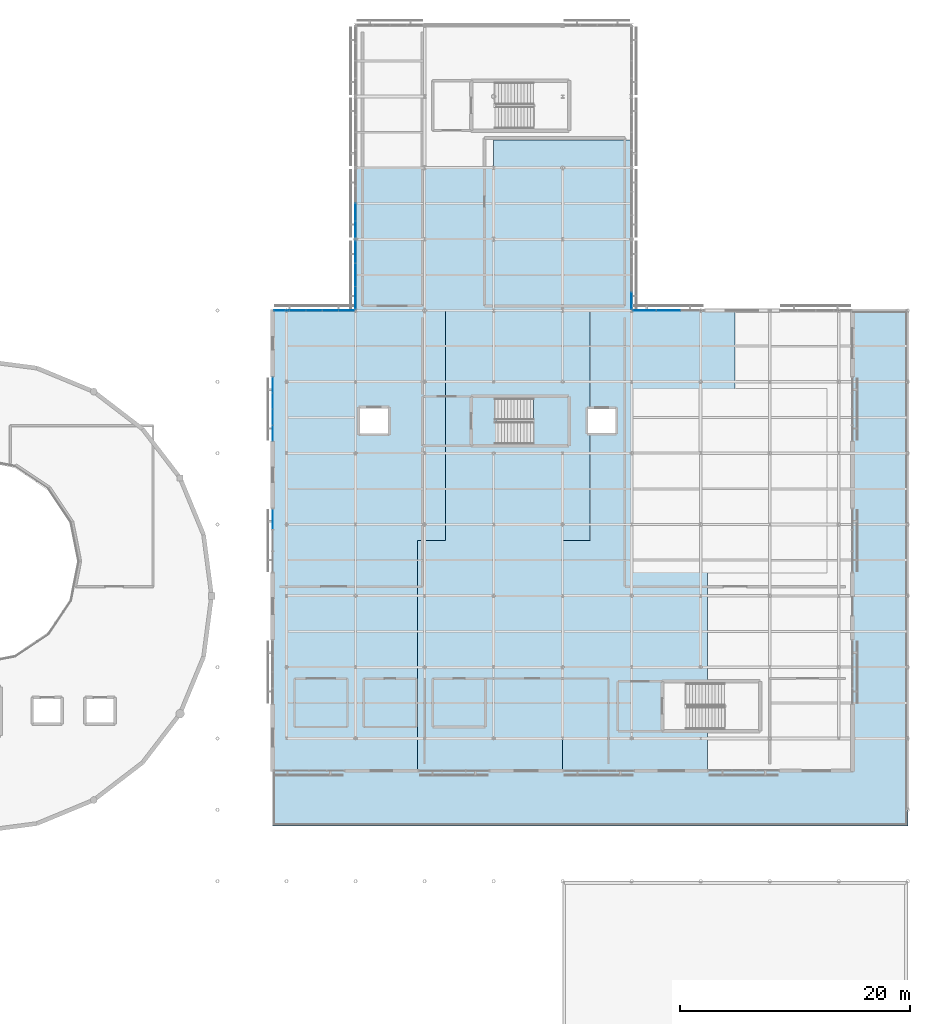
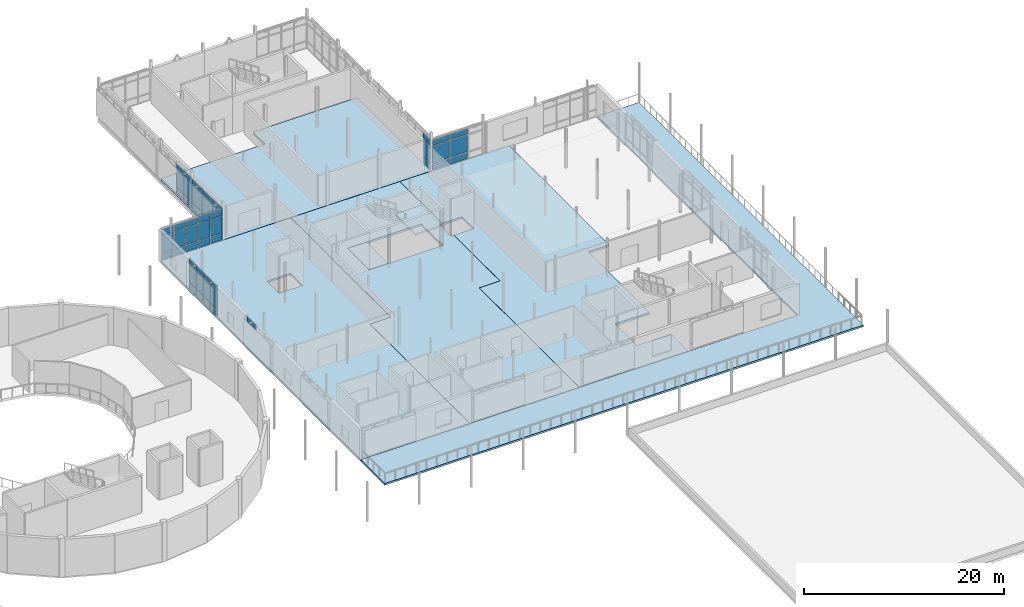
# One storey, part 40 of 66: 52 plates, 7 slabs, 8 elements without a shape of their own.
"""IFC4 building model written with IfcOpenShell, lengths in metres."""

from ifc_helpers import new_model, si_unit, direction, frame, origin, origin_2d, place, context, subcontext, project, spatial, polyline, rectangle, outline, extrude, material, layer, layer_set, type_object, element, aggregate, save


model = new_model("IFC4")

# Units and contexts
model_context = context("Model", 3, precision=1e-05, world=origin(), true_north=direction((0.0, 1.0)))
body_context = subcontext(model_context, "Body", "Model", "MODEL_VIEW")
ifc_project = project(units=[si_unit("LENGTHUNIT", "METRE"), si_unit("AREAUNIT", "SQUARE_METRE"), si_unit("VOLUMEUNIT", "CUBIC_METRE"), si_unit("PLANEANGLEUNIT", "RADIAN"), si_unit("MASSUNIT", "GRAM", prefix="KILO")], contexts=[model_context])

# Site, building, storey
site_placement = place(None, origin())
site = spatial("IfcSite", under=ifc_project, at=site_placement, CompositionType="ELEMENT")
building_placement = place(site_placement, origin())
building = spatial("IfcBuilding", under=site, at=building_placement, Name="Mirzam Square Science Centre", CompositionType="ELEMENT")
storey_placement = place(building_placement, frame((0.0, 0.0, 15.60009765625)))
storey = spatial("IfcBuildingStorey", under=building, at=storey_placement, Name="L03", CompositionType="ELEMENT", Elevation=15.60009765625)

# Curtain wall, plates
ifc_material_1 = material(Name="Anodised Aluminium and Low-E Solar Glass", Category="aluminium")
ifc_layer_1 = layer(ifc_material_1, 0.159912109375)
ifc_layer_set_1 = layer_set([ifc_layer_1], Name="CW-COURT-B")
curtain_wall_type_1 = type_object("IfcCurtainWallType", Name="CW-COURT-B", PredefinedType="USERDEFINED", material=ifc_layer_set_1)
curtain_wall_1_placement = place(storey_placement, origin())
curtain_wall_1 = element("IfcCurtainWall", 1, at=curtain_wall_1_placement, inside=storey, type_object=curtain_wall_type_1, Name="L03 unitised curtain wall 132", ObjectType="UNITISED CURTAIN WALL", PredefinedType="USERDEFINED")
ifc_material_2 = material(Name="Ceramic-Fritted Courtyard Solar Glass", Category="glass")
ifc_layer_2 = layer(ifc_material_2, 0.02392578125)
ifc_layer_set_2 = layer_set([ifc_layer_2], Name="CWP-GLZ-24")
plate_type_1 = type_object("IfcPlateType", Name="CWP-GLZ-24", PredefinedType="CURTAIN_PANEL", material=ifc_layer_set_2)
plate_1_placement = place(storey_placement, frame((113.220947265625, 86.800048828125, 0.059814453125), z_axis=(0.0, 0.0, 1.0), x_axis=(-1.0, 0.0, 0.0)))
plate_1 = element("IfcPlate", 2, at=plate_1_placement, type_object=plate_type_1, Name="CW-04 panel 1.1", PredefinedType="CURTAIN_PANEL", context=body_context, shape_type="SweptSolid", body=[
    extrude(rectangle(XDim=1.327880859375, YDim=0.02392578125, at=origin_2d()), origin(), (0.0, 0.0, 1.0), 0.81005859375),
])
plate_2_placement = place(storey_placement, frame((113.220947265625, 86.800048828125, 0.929931640625), z_axis=(0.0, 0.0, 1.0), x_axis=(-1.0, 0.0, 0.0)))
plate_2 = element("IfcPlate", 3, at=plate_2_placement, type_object=plate_type_1, Name="CW-04 panel 1.2", PredefinedType="CURTAIN_PANEL", context=body_context, shape_type="SweptSolid", body=[
    extrude(rectangle(XDim=1.327880859375, YDim=0.02392578125, at=origin_2d()), origin(), (0.0, 0.0, 1.0), 2.080078125),
])
plate_3_placement = place(storey_placement, frame((113.220947265625, 86.800048828125, 3.06982421875), z_axis=(0.0, 0.0, 1.0), x_axis=(-1.0, 0.0, 0.0)))
plate_3 = element("IfcPlate", 4, at=plate_3_placement, type_object=plate_type_1, Name="CW-04 panel 1.3", PredefinedType="CURTAIN_PANEL", context=body_context, shape_type="SweptSolid", body=[
    extrude(rectangle(XDim=1.327880859375, YDim=0.02392578125, at=origin_2d()), origin(), (0.0, 0.0, 1.0), 0.7099609375),
])
plate_4_placement = place(storey_placement, frame((111.818115234375, 86.800048828125, 0.059814453125), z_axis=(0.0, 0.0, 1.0), x_axis=(-1.0, 0.0, 0.0)))
plate_4 = element("IfcPlate", 5, at=plate_4_placement, type_object=plate_type_1, Name="CW-04 panel 2.1", PredefinedType="CURTAIN_PANEL", context=body_context, shape_type="SweptSolid", body=[
    extrude(rectangle(XDim=1.35791015625, YDim=0.02392578125, at=origin_2d()), origin(), (0.0, 0.0, 1.0), 0.81005859375),
])
plate_5_placement = place(storey_placement, frame((111.818115234375, 86.800048828125, 0.929931640625), z_axis=(0.0, 0.0, 1.0), x_axis=(-1.0, 0.0, 0.0)))
plate_5 = element("IfcPlate", 6, at=plate_5_placement, type_object=plate_type_1, Name="CW-04 panel 2.2", PredefinedType="CURTAIN_PANEL", context=body_context, shape_type="SweptSolid", body=[
    extrude(rectangle(XDim=1.35791015625, YDim=0.02392578125, at=origin_2d()), origin(), (0.0, 0.0, 1.0), 2.080078125),
])
plate_6_placement = place(storey_placement, frame((111.818115234375, 86.800048828125, 3.06982421875), z_axis=(0.0, 0.0, 1.0), x_axis=(-1.0, 0.0, 0.0)))
plate_6 = element("IfcPlate", 7, at=plate_6_placement, type_object=plate_type_1, Name="CW-04 panel 2.3", PredefinedType="CURTAIN_PANEL", context=body_context, shape_type="SweptSolid", body=[
    extrude(rectangle(XDim=1.35791015625, YDim=0.02392578125, at=origin_2d()), origin(), (0.0, 0.0, 1.0), 0.7099609375),
])
plate_7_placement = place(storey_placement, frame((110.39990234375, 86.800048828125, 0.059814453125), z_axis=(0.0, 0.0, 1.0), x_axis=(-1.0, 0.0, 0.0)))
plate_7 = element("IfcPlate", 8, at=plate_7_placement, type_object=plate_type_1, Name="CW-04 panel 3.1", PredefinedType="CURTAIN_PANEL", context=body_context, shape_type="SweptSolid", body=[
    extrude(rectangle(XDim=1.35791015625, YDim=0.02392578125, at=origin_2d()), origin(), (0.0, 0.0, 1.0), 0.81005859375),
])
plate_8_placement = place(storey_placement, frame((110.39990234375, 86.800048828125, 0.929931640625), z_axis=(0.0, 0.0, 1.0), x_axis=(-1.0, 0.0, 0.0)))
plate_8 = element("IfcPlate", 9, at=plate_8_placement, type_object=plate_type_1, Name="CW-04 panel 3.2", PredefinedType="CURTAIN_PANEL", context=body_context, shape_type="SweptSolid", body=[
    extrude(rectangle(XDim=1.35791015625, YDim=0.02392578125, at=origin_2d()), origin(), (0.0, 0.0, 1.0), 2.080078125),
])
plate_9_placement = place(storey_placement, frame((110.39990234375, 86.800048828125, 3.06982421875), z_axis=(0.0, 0.0, 1.0), x_axis=(-1.0, 0.0, 0.0)))
plate_9 = element("IfcPlate", 10, at=plate_9_placement, type_object=plate_type_1, Name="CW-04 panel 3.3", PredefinedType="CURTAIN_PANEL", context=body_context, shape_type="SweptSolid", body=[
    extrude(rectangle(XDim=1.35791015625, YDim=0.02392578125, at=origin_2d()), origin(), (0.0, 0.0, 1.0), 0.7099609375),
])
plate_10_placement = place(storey_placement, frame((108.98193359375, 86.800048828125, 0.059814453125), z_axis=(0.0, 0.0, 1.0), x_axis=(-1.0, 0.0, 0.0)))
plate_10 = element("IfcPlate", 11, at=plate_10_placement, type_object=plate_type_1, Name="CW-04 panel 4.1", PredefinedType="CURTAIN_PANEL", context=body_context, shape_type="SweptSolid", body=[
    extrude(rectangle(XDim=1.35791015625, YDim=0.02392578125, at=origin_2d()), origin(), (0.0, 0.0, 1.0), 0.81005859375),
])
plate_11_placement = place(storey_placement, frame((108.98193359375, 86.800048828125, 0.929931640625), z_axis=(0.0, 0.0, 1.0), x_axis=(-1.0, 0.0, 0.0)))
plate_11 = element("IfcPlate", 12, at=plate_11_placement, type_object=plate_type_1, Name="CW-04 panel 4.2", PredefinedType="CURTAIN_PANEL", context=body_context, shape_type="SweptSolid", body=[
    extrude(rectangle(XDim=1.35791015625, YDim=0.02392578125, at=origin_2d()), origin(), (0.0, 0.0, 1.0), 2.080078125),
])
plate_12_placement = place(storey_placement, frame((108.98193359375, 86.800048828125, 3.06982421875), z_axis=(0.0, 0.0, 1.0), x_axis=(-1.0, 0.0, 0.0)))
plate_12 = element("IfcPlate", 13, at=plate_12_placement, type_object=plate_type_1, Name="CW-04 panel 4.3", PredefinedType="CURTAIN_PANEL", context=body_context, shape_type="SweptSolid", body=[
    extrude(rectangle(XDim=1.35791015625, YDim=0.02392578125, at=origin_2d()), origin(), (0.0, 0.0, 1.0), 0.7099609375),
])
plate_13_placement = place(storey_placement, frame((107.5791015625, 86.800048828125, 0.059814453125), z_axis=(0.0, 0.0, 1.0), x_axis=(-1.0, 0.0, 0.0)))
plate_13 = element("IfcPlate", 14, at=plate_13_placement, type_object=plate_type_1, Name="CW-04 panel 5.1", PredefinedType="CURTAIN_PANEL", context=body_context, shape_type="SweptSolid", body=[
    extrude(rectangle(XDim=1.327880859375, YDim=0.02392578125, at=origin_2d()), origin(), (0.0, 0.0, 1.0), 0.81005859375),
])
plate_14_placement = place(storey_placement, frame((107.5791015625, 86.800048828125, 0.929931640625), z_axis=(0.0, 0.0, 1.0), x_axis=(-1.0, 0.0, 0.0)))
plate_14 = element("IfcPlate", 15, at=plate_14_placement, type_object=plate_type_1, Name="CW-04 panel 5.2", PredefinedType="CURTAIN_PANEL", context=body_context, shape_type="SweptSolid", body=[
    extrude(rectangle(XDim=1.327880859375, YDim=0.02392578125, at=origin_2d()), origin(), (0.0, 0.0, 1.0), 2.080078125),
])
plate_15_placement = place(storey_placement, frame((107.5791015625, 86.800048828125, 3.06982421875), z_axis=(0.0, 0.0, 1.0), x_axis=(-1.0, 0.0, 0.0)))
plate_15 = element("IfcPlate", 16, at=plate_15_placement, type_object=plate_type_1, Name="CW-04 panel 5.3", PredefinedType="CURTAIN_PANEL", context=body_context, shape_type="SweptSolid", body=[
    extrude(rectangle(XDim=1.327880859375, YDim=0.02392578125, at=origin_2d()), origin(), (0.0, 0.0, 1.0), 0.7099609375),
])
aggregate(curtain_wall_1, [plate_1, plate_2, plate_3, plate_4, plate_5, plate_6, plate_7, plate_8, plate_9, plate_10, plate_11, plate_12, plate_13, plate_14, plate_15])

curtain_wall_2_placement = place(storey_placement, origin())
curtain_wall_2 = element("IfcCurtainWall", 17, at=curtain_wall_2_placement, inside=storey, type_object=curtain_wall_type_1, Name="L03 unitised curtain wall 133", ObjectType="UNITISED CURTAIN WALL", PredefinedType="USERDEFINED")
plate_16_placement = place(storey_placement, frame((106.800048828125, 80.315185546875, 0.059814453125), z_axis=(0.0, 0.0, 1.0), x_axis=(0.0, -1.0, 0.0)))
plate_16 = element("IfcPlate", 18, at=plate_16_placement, type_object=plate_type_1, Name="CW-04 panel 1.1", PredefinedType="CURTAIN_PANEL", context=body_context, shape_type="SweptSolid", body=[
    extrude(rectangle(XDim=1.31103515625, YDim=0.02392578125, at=origin_2d()), origin(), (0.0, 0.0, 1.0), 0.81005859375),
])
plate_17_placement = place(storey_placement, frame((106.800048828125, 80.315185546875, 0.929931640625), z_axis=(0.0, 0.0, 1.0), x_axis=(0.0, -1.0, 0.0)))
plate_17 = element("IfcPlate", 19, at=plate_17_placement, type_object=plate_type_1, Name="CW-04 panel 1.2", PredefinedType="CURTAIN_PANEL", context=body_context, shape_type="SweptSolid", body=[
    extrude(rectangle(XDim=1.31103515625, YDim=0.02392578125, at=origin_2d()), origin(), (0.0, 0.0, 1.0), 2.080078125),
])
plate_18_placement = place(storey_placement, frame((106.800048828125, 80.315185546875, 3.06982421875), z_axis=(0.0, 0.0, 1.0), x_axis=(0.0, -1.0, 0.0)))
plate_18 = element("IfcPlate", 20, at=plate_18_placement, type_object=plate_type_1, Name="CW-04 panel 1.3", PredefinedType="CURTAIN_PANEL", context=body_context, shape_type="SweptSolid", body=[
    extrude(rectangle(XDim=1.31103515625, YDim=0.02392578125, at=origin_2d()), origin(), (0.0, 0.0, 1.0), 0.7099609375),
])
plate_19_placement = place(storey_placement, frame((106.800048828125, 78.92919921875, 0.059814453125), z_axis=(0.0, 0.0, 1.0), x_axis=(0.0, -1.0, 0.0)))
plate_19 = element("IfcPlate", 21, at=plate_19_placement, type_object=plate_type_1, Name="CW-04 panel 2.1", PredefinedType="CURTAIN_PANEL", context=body_context, shape_type="SweptSolid", body=[
    extrude(rectangle(XDim=1.341064453125, YDim=0.02392578125, at=origin_2d()), origin(), (0.0, 0.0, 1.0), 0.81005859375),
])
plate_20_placement = place(storey_placement, frame((106.800048828125, 78.92919921875, 0.929931640625), z_axis=(0.0, 0.0, 1.0), x_axis=(0.0, -1.0, 0.0)))
plate_20 = element("IfcPlate", 22, at=plate_20_placement, type_object=plate_type_1, Name="CW-04 panel 2.2", PredefinedType="CURTAIN_PANEL", context=body_context, shape_type="SweptSolid", body=[
    extrude(rectangle(XDim=1.341064453125, YDim=0.02392578125, at=origin_2d()), origin(), (0.0, 0.0, 1.0), 2.080078125),
])
plate_21_placement = place(storey_placement, frame((106.800048828125, 78.92919921875, 3.06982421875), z_axis=(0.0, 0.0, 1.0), x_axis=(0.0, -1.0, 0.0)))
plate_21 = element("IfcPlate", 23, at=plate_21_placement, type_object=plate_type_1, Name="CW-04 panel 2.3", PredefinedType="CURTAIN_PANEL", context=body_context, shape_type="SweptSolid", body=[
    extrude(rectangle(XDim=1.341064453125, YDim=0.02392578125, at=origin_2d()), origin(), (0.0, 0.0, 1.0), 0.7099609375),
])
plate_22_placement = place(storey_placement, frame((106.800048828125, 77.528076171875, 0.059814453125), z_axis=(0.0, 0.0, 1.0), x_axis=(0.0, -1.0, 0.0)))
plate_22 = element("IfcPlate", 24, at=plate_22_placement, type_object=plate_type_1, Name="CW-04 panel 3.1", PredefinedType="CURTAIN_PANEL", context=body_context, shape_type="SweptSolid", body=[
    extrude(rectangle(XDim=1.341064453125, YDim=0.02392578125, at=origin_2d()), origin(), (0.0, 0.0, 1.0), 0.81005859375),
])
plate_23_placement = place(storey_placement, frame((106.800048828125, 77.528076171875, 0.929931640625), z_axis=(0.0, 0.0, 1.0), x_axis=(0.0, -1.0, 0.0)))
plate_23 = element("IfcPlate", 25, at=plate_23_placement, type_object=plate_type_1, Name="CW-04 panel 3.2", PredefinedType="CURTAIN_PANEL", context=body_context, shape_type="SweptSolid", body=[
    extrude(rectangle(XDim=1.341064453125, YDim=0.02392578125, at=origin_2d()), origin(), (0.0, 0.0, 1.0), 2.080078125),
])
plate_24_placement = place(storey_placement, frame((106.800048828125, 77.528076171875, 3.06982421875), z_axis=(0.0, 0.0, 1.0), x_axis=(0.0, -1.0, 0.0)))
plate_24 = element("IfcPlate", 26, at=plate_24_placement, type_object=plate_type_1, Name="CW-04 panel 3.3", PredefinedType="CURTAIN_PANEL", context=body_context, shape_type="SweptSolid", body=[
    extrude(rectangle(XDim=1.341064453125, YDim=0.02392578125, at=origin_2d()), origin(), (0.0, 0.0, 1.0), 0.7099609375),
])
plate_25_placement = place(storey_placement, frame((106.800048828125, 76.141845703125, 0.059814453125), z_axis=(0.0, 0.0, 1.0), x_axis=(0.0, -1.0, 0.0)))
plate_25 = element("IfcPlate", 27, at=plate_25_placement, type_object=plate_type_1, Name="CW-04 panel 4.1", PredefinedType="CURTAIN_PANEL", context=body_context, shape_type="SweptSolid", body=[
    extrude(rectangle(XDim=1.31103515625, YDim=0.02392578125, at=origin_2d()), origin(), (0.0, 0.0, 1.0), 0.81005859375),
])
plate_26_placement = place(storey_placement, frame((106.800048828125, 76.141845703125, 0.929931640625), z_axis=(0.0, 0.0, 1.0), x_axis=(0.0, -1.0, 0.0)))
plate_26 = element("IfcPlate", 28, at=plate_26_placement, type_object=plate_type_1, Name="CW-04 panel 4.2", PredefinedType="CURTAIN_PANEL", context=body_context, shape_type="SweptSolid", body=[
    extrude(rectangle(XDim=1.31103515625, YDim=0.02392578125, at=origin_2d()), origin(), (0.0, 0.0, 1.0), 2.080078125),
])
plate_27_placement = place(storey_placement, frame((106.800048828125, 76.141845703125, 3.06982421875), z_axis=(0.0, 0.0, 1.0), x_axis=(0.0, -1.0, 0.0)))
plate_27 = element("IfcPlate", 29, at=plate_27_placement, type_object=plate_type_1, Name="CW-04 panel 4.3", PredefinedType="CURTAIN_PANEL", context=body_context, shape_type="SweptSolid", body=[
    extrude(rectangle(XDim=1.31103515625, YDim=0.02392578125, at=origin_2d()), origin(), (0.0, 0.0, 1.0), 0.7099609375),
])
aggregate(curtain_wall_2, [plate_16, plate_17, plate_18, plate_19, plate_20, plate_21, plate_22, plate_23, plate_24, plate_25, plate_26, plate_27])

ifc_layer_3 = layer(ifc_material_1, 0.239990234375)
ifc_layer_set_3 = layer_set([ifc_layer_3], Name="CW-EAST-B")
curtain_wall_type_2 = type_object("IfcCurtainWallType", Name="CW-EAST-B", PredefinedType="USERDEFINED", material=ifc_layer_set_3)
curtain_wall_3_placement = place(storey_placement, origin())
curtain_wall_3 = element("IfcCurtainWall", 30, at=curtain_wall_3_placement, inside=storey, type_object=curtain_wall_type_2, Name="L03 unitised curtain wall 131", ObjectType="UNITISED CURTAIN WALL", PredefinedType="USERDEFINED")
ifc_material_3 = material(Name="Double-Silver Low-E Insulated Solar Glass", Category="glass")
ifc_layer_4 = layer(ifc_material_3, 0.028076171875)
ifc_layer_set_4 = layer_set([ifc_layer_4], Name="CWP-GLZ-28")
plate_type_2 = type_object("IfcPlateType", Name="CWP-GLZ-28", PredefinedType="CURTAIN_PANEL", material=ifc_layer_set_4)
plate_28_placement = place(storey_placement, frame((141.199951171875, 86.800048828125, 0.074951171875), z_axis=(0.0, 0.0, 1.0), x_axis=(-1.0, 0.0, 0.0)))
plate_28 = element("IfcPlate", 31, at=plate_28_placement, type_object=plate_type_2, Name="CW-06 panel 2.1", PredefinedType="CURTAIN_PANEL", context=body_context, shape_type="SweptSolid", body=[
    extrude(rectangle(XDim=2.021728515625, YDim=0.028076171875, at=origin_2d()), origin(), (0.0, 0.0, 1.0), 0.78759765625),
])
plate_29_placement = place(storey_placement, frame((141.199951171875, 86.800048828125, 0.9375), z_axis=(0.0, 0.0, 1.0), x_axis=(-1.0, 0.0, 0.0)))
plate_29 = element("IfcPlate", 32, at=plate_29_placement, type_object=plate_type_2, Name="CW-06 panel 2.2", PredefinedType="CURTAIN_PANEL", context=body_context, shape_type="SweptSolid", body=[
    extrude(rectangle(XDim=2.021728515625, YDim=0.028076171875, at=origin_2d()), origin(), (0.0, 0.0, 1.0), 2.06494140625),
])
plate_30_placement = place(storey_placement, frame((141.199951171875, 86.800048828125, 3.077392578125), z_axis=(0.0, 0.0, 1.0), x_axis=(-1.0, 0.0, 0.0)))
plate_30 = element("IfcPlate", 33, at=plate_30_placement, type_object=plate_type_2, Name="CW-06 panel 2.3", PredefinedType="CURTAIN_PANEL", context=body_context, shape_type="SweptSolid", body=[
    extrude(rectangle(XDim=2.021728515625, YDim=0.028076171875, at=origin_2d()), origin(), (0.0, 0.0, 1.0), 0.6875),
])
plate_31_placement = place(storey_placement, frame((139.1220703125, 86.800048828125, 0.074951171875), z_axis=(0.0, 0.0, 1.0), x_axis=(-1.0, 0.0, 0.0)))
plate_31 = element("IfcPlate", 34, at=plate_31_placement, type_object=plate_type_2, Name="CW-06 panel 3.1", PredefinedType="CURTAIN_PANEL", context=body_context, shape_type="SweptSolid", body=[
    extrude(rectangle(XDim=1.984130859375, YDim=0.028076171875, at=origin_2d()), origin(), (0.0, 0.0, 1.0), 0.78759765625),
])
plate_32_placement = place(storey_placement, frame((139.1220703125, 86.800048828125, 0.9375), z_axis=(0.0, 0.0, 1.0), x_axis=(-1.0, 0.0, 0.0)))
plate_32 = element("IfcPlate", 35, at=plate_32_placement, type_object=plate_type_2, Name="CW-06 panel 3.2", PredefinedType="CURTAIN_PANEL", context=body_context, shape_type="SweptSolid", body=[
    extrude(rectangle(XDim=1.984130859375, YDim=0.028076171875, at=origin_2d()), origin(), (0.0, 0.0, 1.0), 2.06494140625),
])
plate_33_placement = place(storey_placement, frame((139.1220703125, 86.800048828125, 3.077392578125), z_axis=(0.0, 0.0, 1.0), x_axis=(-1.0, 0.0, 0.0)))
plate_33 = element("IfcPlate", 36, at=plate_33_placement, type_object=plate_type_2, Name="CW-06 panel 3.3", PredefinedType="CURTAIN_PANEL", context=body_context, shape_type="SweptSolid", body=[
    extrude(rectangle(XDim=1.984130859375, YDim=0.028076171875, at=origin_2d()), origin(), (0.0, 0.0, 1.0), 0.6875),
])
aggregate(curtain_wall_3, [plate_28, plate_29, plate_30, plate_31, plate_32, plate_33])

# Curtain wall, plate
curtain_wall_4_placement = place(storey_placement, origin())
curtain_wall_4 = element("IfcCurtainWall", 37, at=curtain_wall_4_placement, inside=storey, type_object=curtain_wall_type_2, Name="L03 unitised curtain wall 134", ObjectType="UNITISED CURTAIN WALL", PredefinedType="USERDEFINED")
plate_34_placement = place(storey_placement, frame((106.800048828125, 68.6494140625, 3.077392578125), z_axis=(0.0, 0.0, 1.0), x_axis=(0.0, -1.0, 0.0)))
plate_34 = element("IfcPlate", 38, at=plate_34_placement, type_object=plate_type_2, Name="CW-06 panel 1.3", PredefinedType="CURTAIN_PANEL", context=body_context, shape_type="SweptSolid", body=[
    extrude(rectangle(XDim=1.755615234375, YDim=0.028076171875, at=origin_2d()), origin(), (0.0, 0.0, 1.0), 0.6875),
])
aggregate(curtain_wall_4, [plate_34])

# Curtain wall, plates
ifc_layer_5 = layer(ifc_material_1, 0.199951171875)
ifc_layer_set_5 = layer_set([ifc_layer_5], Name="CW-PARK-B")
curtain_wall_type_3 = type_object("IfcCurtainWallType", Name="CW-PARK-B", PredefinedType="USERDEFINED", material=ifc_layer_set_5)
curtain_wall_5_placement = place(storey_placement, origin())
curtain_wall_5 = element("IfcCurtainWall", 39, at=curtain_wall_5_placement, inside=storey, type_object=curtain_wall_type_3, Name="L03 unitised curtain wall 138", ObjectType="UNITISED CURTAIN WALL", PredefinedType="USERDEFINED")
ifc_material_4 = material(Name="Triple-Glazed Acoustic Low-E Solar Glass", Category="glass")
ifc_layer_6 = layer(ifc_material_4, 0.031982421875)
ifc_layer_set_6 = layer_set([ifc_layer_6], Name="CWP-GLZ-32")
plate_type_3 = type_object("IfcPlateType", Name="CWP-GLZ-32", PredefinedType="CURTAIN_PANEL", material=ifc_layer_set_6)
plate_35_placement = place(storey_placement, frame((114.0, 91.913818359375, 0.06494140625), z_axis=(0.0, 0.0, 1.0), x_axis=(0.0, -1.0, 0.0)))
plate_35 = element("IfcPlate", 40, at=plate_35_placement, type_object=plate_type_3, Name="CW-02 panel 1.1", PredefinedType="CURTAIN_PANEL", context=body_context, shape_type="SweptSolid", body=[
    extrude(rectangle(XDim=1.9326171875, YDim=0.031982421875, at=origin_2d()), origin(), (0.0, 0.0, 1.0), 0.802490234375),
])
plate_36_placement = place(storey_placement, frame((114.0, 91.913818359375, 0.9326171875), z_axis=(0.0, 0.0, 1.0), x_axis=(0.0, -1.0, 0.0)))
plate_36 = element("IfcPlate", 41, at=plate_36_placement, type_object=plate_type_3, Name="CW-02 panel 1.2", PredefinedType="CURTAIN_PANEL", context=body_context, shape_type="SweptSolid", body=[
    extrude(rectangle(XDim=1.9326171875, YDim=0.031982421875, at=origin_2d()), origin(), (0.0, 0.0, 1.0), 2.074951171875),
])
plate_37_placement = place(storey_placement, frame((114.0, 91.913818359375, 3.072265625), z_axis=(0.0, 0.0, 1.0), x_axis=(0.0, -1.0, 0.0)))
plate_37 = element("IfcPlate", 42, at=plate_37_placement, type_object=plate_type_3, Name="CW-02 panel 1.3", PredefinedType="CURTAIN_PANEL", context=body_context, shape_type="SweptSolid", body=[
    extrude(rectangle(XDim=1.9326171875, YDim=0.031982421875, at=origin_2d()), origin(), (0.0, 0.0, 1.0), 0.702392578125),
])
plate_38_placement = place(storey_placement, frame((114.0, 89.89990234375, 0.06494140625), z_axis=(0.0, 0.0, 1.0), x_axis=(0.0, -1.0, 0.0)))
plate_38 = element("IfcPlate", 43, at=plate_38_placement, type_object=plate_type_3, Name="CW-02 panel 2.1", PredefinedType="CURTAIN_PANEL", context=body_context, shape_type="SweptSolid", body=[
    extrude(rectangle(XDim=1.965087890625, YDim=0.031982421875, at=origin_2d()), origin(), (0.0, 0.0, 1.0), 0.802490234375),
])
plate_39_placement = place(storey_placement, frame((114.0, 89.89990234375, 0.9326171875), z_axis=(0.0, 0.0, 1.0), x_axis=(0.0, -1.0, 0.0)))
plate_39 = element("IfcPlate", 44, at=plate_39_placement, type_object=plate_type_3, Name="CW-02 panel 2.2", PredefinedType="CURTAIN_PANEL", context=body_context, shape_type="SweptSolid", body=[
    extrude(rectangle(XDim=1.965087890625, YDim=0.031982421875, at=origin_2d()), origin(), (0.0, 0.0, 1.0), 2.074951171875),
])
plate_40_placement = place(storey_placement, frame((114.0, 89.89990234375, 3.072265625), z_axis=(0.0, 0.0, 1.0), x_axis=(0.0, -1.0, 0.0)))
plate_40 = element("IfcPlate", 45, at=plate_40_placement, type_object=plate_type_3, Name="CW-02 panel 2.3", PredefinedType="CURTAIN_PANEL", context=body_context, shape_type="SweptSolid", body=[
    extrude(rectangle(XDim=1.965087890625, YDim=0.031982421875, at=origin_2d()), origin(), (0.0, 0.0, 1.0), 0.702392578125),
])
plate_41_placement = place(storey_placement, frame((114.0, 87.88623046875, 0.06494140625), z_axis=(0.0, 0.0, 1.0), x_axis=(0.0, -1.0, 0.0)))
plate_41 = element("IfcPlate", 46, at=plate_41_placement, type_object=plate_type_3, Name="CW-02 panel 3.1", PredefinedType="CURTAIN_PANEL", context=body_context, shape_type="SweptSolid", body=[
    extrude(rectangle(XDim=1.9326171875, YDim=0.031982421875, at=origin_2d()), origin(), (0.0, 0.0, 1.0), 0.802490234375),
])
plate_42_placement = place(storey_placement, frame((114.0, 87.88623046875, 0.9326171875), z_axis=(0.0, 0.0, 1.0), x_axis=(0.0, -1.0, 0.0)))
plate_42 = element("IfcPlate", 47, at=plate_42_placement, type_object=plate_type_3, Name="CW-02 panel 3.2", PredefinedType="CURTAIN_PANEL", context=body_context, shape_type="SweptSolid", body=[
    extrude(rectangle(XDim=1.9326171875, YDim=0.031982421875, at=origin_2d()), origin(), (0.0, 0.0, 1.0), 2.074951171875),
])
plate_43_placement = place(storey_placement, frame((114.0, 87.88623046875, 3.072265625), z_axis=(0.0, 0.0, 1.0), x_axis=(0.0, -1.0, 0.0)))
plate_43 = element("IfcPlate", 48, at=plate_43_placement, type_object=plate_type_3, Name="CW-02 panel 3.3", PredefinedType="CURTAIN_PANEL", context=body_context, shape_type="SweptSolid", body=[
    extrude(rectangle(XDim=1.9326171875, YDim=0.031982421875, at=origin_2d()), origin(), (0.0, 0.0, 1.0), 0.702392578125),
])
aggregate(curtain_wall_5, [plate_35, plate_36, plate_37, plate_38, plate_39, plate_40, plate_41, plate_42, plate_43])

ifc_layer_7 = layer(ifc_material_1, 0.159912109375)
ifc_layer_set_7 = layer_set([ifc_layer_7], Name="CW-COURT-A")
curtain_wall_type_4 = type_object("IfcCurtainWallType", Name="CW-COURT-A", PredefinedType="USERDEFINED", material=ifc_layer_set_7)
curtain_wall_6_placement = place(storey_placement, origin())
curtain_wall_6 = element("IfcCurtainWall", 49, at=curtain_wall_6_placement, inside=storey, type_object=curtain_wall_type_4, Name="L03 unitised curtain wall 140", ObjectType="UNITISED CURTAIN WALL", PredefinedType="USERDEFINED")
ifc_material_5 = material(Name="Laminated Low-Iron Observatory Solar Glass", Category="glass")
ifc_layer_8 = layer(ifc_material_5, 0.035888671875)
ifc_layer_set_8 = layer_set([ifc_layer_8], Name="CWP-GLZ-36")
plate_type_4 = type_object("IfcPlateType", Name="CWP-GLZ-36", PredefinedType="CURTAIN_PANEL", material=ifc_layer_set_8)
plate_44_placement = place(storey_placement, frame((114.0, 95.3388671875, 0.074951171875), z_axis=(0.0, 0.0, 1.0), x_axis=(0.0, -1.0, 0.0)))
plate_44 = element("IfcPlate", 50, at=plate_44_placement, type_object=plate_type_4, Name="CW-03 panel 3.1", PredefinedType="CURTAIN_PANEL", context=body_context, shape_type="SweptSolid", body=[
    extrude(rectangle(XDim=1.447509765625, YDim=0.035888671875, at=origin_2d()), origin(), (0.0, 0.0, 1.0), 0.78759765625),
])
plate_45_placement = place(storey_placement, frame((114.0, 95.3388671875, 0.9375), z_axis=(0.0, 0.0, 1.0), x_axis=(0.0, -1.0, 0.0)))
plate_45 = element("IfcPlate", 51, at=plate_45_placement, type_object=plate_type_4, Name="CW-03 panel 3.2", PredefinedType="CURTAIN_PANEL", context=body_context, shape_type="SweptSolid", body=[
    extrude(rectangle(XDim=1.447509765625, YDim=0.035888671875, at=origin_2d()), origin(), (0.0, 0.0, 1.0), 2.06494140625),
])
plate_46_placement = place(storey_placement, frame((114.0, 95.3388671875, 3.077392578125), z_axis=(0.0, 0.0, 1.0), x_axis=(0.0, -1.0, 0.0)))
plate_46 = element("IfcPlate", 52, at=plate_46_placement, type_object=plate_type_4, Name="CW-03 panel 3.3", PredefinedType="CURTAIN_PANEL", context=body_context, shape_type="SweptSolid", body=[
    extrude(rectangle(XDim=1.447509765625, YDim=0.035888671875, at=origin_2d()), origin(), (0.0, 0.0, 1.0), 0.6875),
])
plate_47_placement = place(storey_placement, frame((114.0, 93.8349609375, 0.074951171875), z_axis=(0.0, 0.0, 1.0), x_axis=(0.0, -1.0, 0.0)))
plate_47 = element("IfcPlate", 53, at=plate_47_placement, type_object=plate_type_4, Name="CW-03 panel 4.1", PredefinedType="CURTAIN_PANEL", context=body_context, shape_type="SweptSolid", body=[
    extrude(rectangle(XDim=1.409912109375, YDim=0.035888671875, at=origin_2d()), origin(), (0.0, 0.0, 1.0), 0.78759765625),
])
plate_48_placement = place(storey_placement, frame((114.0, 93.8349609375, 0.9375), z_axis=(0.0, 0.0, 1.0), x_axis=(0.0, -1.0, 0.0)))
plate_48 = element("IfcPlate", 54, at=plate_48_placement, type_object=plate_type_4, Name="CW-03 panel 4.2", PredefinedType="CURTAIN_PANEL", context=body_context, shape_type="SweptSolid", body=[
    extrude(rectangle(XDim=1.409912109375, YDim=0.035888671875, at=origin_2d()), origin(), (0.0, 0.0, 1.0), 2.06494140625),
])
plate_49_placement = place(storey_placement, frame((114.0, 93.8349609375, 3.077392578125), z_axis=(0.0, 0.0, 1.0), x_axis=(0.0, -1.0, 0.0)))
plate_49 = element("IfcPlate", 55, at=plate_49_placement, type_object=plate_type_4, Name="CW-03 panel 4.3", PredefinedType="CURTAIN_PANEL", context=body_context, shape_type="SweptSolid", body=[
    extrude(rectangle(XDim=1.409912109375, YDim=0.035888671875, at=origin_2d()), origin(), (0.0, 0.0, 1.0), 0.6875),
])
aggregate(curtain_wall_6, [plate_44, plate_45, plate_46, plate_47, plate_48, plate_49])

ifc_layer_9 = layer(ifc_material_1, 0.199951171875)
ifc_layer_set_9 = layer_set([ifc_layer_9], Name="CW-EAST-A")
curtain_wall_type_5 = type_object("IfcCurtainWallType", Name="CW-EAST-A", PredefinedType="USERDEFINED", material=ifc_layer_set_9)
curtain_wall_7_placement = place(storey_placement, origin())
curtain_wall_7 = element("IfcCurtainWall", 56, at=curtain_wall_7_placement, inside=storey, type_object=curtain_wall_type_5, Name="L03 unitised curtain wall 139", ObjectType="UNITISED CURTAIN WALL", PredefinedType="USERDEFINED")
ifc_material_6 = material(Name="Acoustic Laminated Solar Spandrel Glass", Category="glass")
ifc_layer_10 = layer(ifc_material_6, 0.0400390625)
ifc_layer_set_10 = layer_set([ifc_layer_10], Name="CWP-GLZ-40")
plate_type_5 = type_object("IfcPlateType", Name="CWP-GLZ-40", PredefinedType="CURTAIN_PANEL", material=ifc_layer_set_10)
plate_50_placement = place(storey_placement, frame((138.0, 87.632568359375, 0.06494140625), z_axis=(0.0, 0.0, 1.0), x_axis=(0.0, 1.0, 0.0)))
plate_50 = element("IfcPlate", 57, at=plate_50_placement, type_object=plate_type_5, Name="CW-05 panel 1.1", PredefinedType="CURTAIN_PANEL", context=body_context, shape_type="SweptSolid", body=[
    extrude(rectangle(XDim=1.425048828125, YDim=0.0400390625, at=origin_2d()), origin(), (0.0, 0.0, 1.0), 0.802490234375),
])
plate_51_placement = place(storey_placement, frame((138.0, 87.632568359375, 0.9326171875), z_axis=(0.0, 0.0, 1.0), x_axis=(0.0, 1.0, 0.0)))
plate_51 = element("IfcPlate", 58, at=plate_51_placement, type_object=plate_type_5, Name="CW-05 panel 1.2", PredefinedType="CURTAIN_PANEL", context=body_context, shape_type="SweptSolid", body=[
    extrude(rectangle(XDim=1.425048828125, YDim=0.0400390625, at=origin_2d()), origin(), (0.0, 0.0, 1.0), 2.074951171875),
])
plate_52_placement = place(storey_placement, frame((138.0, 87.632568359375, 3.072265625), z_axis=(0.0, 0.0, 1.0), x_axis=(0.0, 1.0, 0.0)))
plate_52 = element("IfcPlate", 59, at=plate_52_placement, type_object=plate_type_5, Name="CW-05 panel 1.3", PredefinedType="CURTAIN_PANEL", context=body_context, shape_type="SweptSolid", body=[
    extrude(rectangle(XDim=1.425048828125, YDim=0.0400390625, at=origin_2d()), origin(), (0.0, 0.0, 1.0), 0.702392578125),
])
aggregate(curtain_wall_7, [plate_50, plate_51, plate_52])

# Slabs
ifc_material_7 = material(Name="Concrete C40/50", Category="concrete")
ifc_layer_11 = layer(ifc_material_7, 0.25)
ifc_layer_set_11 = layer_set([ifc_layer_11], Name="SL-LAB-250")
slab_type_1 = type_object("IfcSlabType", Name="SL-LAB-250", PredefinedType="FLOOR", material=ifc_layer_set_11)
slab_1_placement = place(storey_placement, frame((0.0, 0.0, -0.25)))
element("IfcSlab", 60, at=slab_1_placement, inside=storey, type_object=slab_type_1, Name="L03 east 1 slab", PredefinedType="FLOOR", context=body_context, shape_type="SweptSolid", body=[
    extrude(outline(polyline([(106.800048828125, 86.800048828125), (121.800048828125, 86.800048828125), (121.800048828125, 66.800048828125), (119.39990234375, 66.800048828125), (119.39990234375, 46.800048828125), (106.800048828125, 46.800048828125), (106.800048828125, 86.800048828125)]), holes=[polyline([(116.949951171875, 78.39990234375), (114.25, 78.39990234375), (114.25, 76.0), (116.949951171875, 76.0), (116.949951171875, 78.39990234375)])]), origin(), (0.0, 0.0, 1.0), 0.25),
])
slab_2_placement = place(storey_placement, frame((0.0, 0.0, -0.25)))
element("IfcSlab", 61, at=slab_2_placement, inside=storey, type_object=slab_type_1, Name="L03 east 2 slab", PredefinedType="FLOOR", context=body_context, shape_type="SweptSolid", body=[
    extrude(outline(polyline([(132.0, 66.800048828125), (132.0, 46.800048828125), (119.405029296875, 46.800048828125), (119.405029296875, 66.794921875), (121.804931640625, 66.794921875), (121.804931640625, 86.800048828125), (134.39990234375, 86.800048828125), (134.39990234375, 78.35009765625), (134.10009765625, 78.35009765625), (134.10009765625, 76.050048828125), (134.39990234375, 76.050048828125), (134.39990234375, 66.800048828125), (132.0, 66.800048828125)]), holes=[polyline([(132.56005859375, 79.330078125), (124.0400390625, 79.330078125), (124.0400390625, 75.0400390625), (132.56005859375, 75.0400390625), (132.56005859375, 79.330078125)])]), origin(), (0.0, 0.0, 1.0), 0.25),
])
slab_3_placement = place(storey_placement, frame((0.0, 0.0, -0.25)))
element("IfcSlab", 62, at=slab_3_placement, inside=storey, type_object=slab_type_1, Name="L03 east 3 slab", PredefinedType="FLOOR", context=body_context, shape_type="SweptSolid", body=[
    extrude(outline(polyline([(132.0048828125, 46.800048828125), (132.0048828125, 66.794921875), (134.405029296875, 66.794921875), (134.405029296875, 76.050048828125), (136.699951171875, 76.050048828125), (136.699951171875, 78.35009765625), (134.405029296875, 78.35009765625), (134.405029296875, 86.800048828125), (147.0, 86.800048828125), (147.0, 66.800048828125), (144.60009765625, 66.800048828125), (144.60009765625, 54.570068359375), (140.639892578125, 54.570068359375), (140.639892578125, 50.239990234375), (144.60009765625, 50.239990234375), (144.60009765625, 46.800048828125), (132.0048828125, 46.800048828125)])), origin(), (0.0, 0.0, 1.0), 0.25),
])
slab_4_placement = place(storey_placement, frame((0.0, 0.0, -0.25)))
element("IfcSlab", 63, at=slab_4_placement, inside=storey, type_object=slab_type_1, Name="L03 ne obs base 1 slab", PredefinedType="FLOOR", context=body_context, shape_type="SweptSolid", body=[
    extrude(outline(polyline([(126.0, 99.199951171875), (126.0, 101.60009765625), (138.0, 101.60009765625), (138.0, 86.804931640625), (114.0, 86.804931640625), (114.0, 99.199951171875), (126.0, 99.199951171875)])), origin(), (0.0, 0.0, 1.0), 0.25),
])

# Stair, slab
stair_type = type_object("IfcStairType", Name="ST-CORE-4-480", PredefinedType="HALF_TURN_STAIR", material=ifc_material_7)
stair_placement = place(storey_placement, origin())
stair = element("IfcStair", 64, at=stair_placement, inside=storey, type_object=stair_type, Name="L03 ST-04", PredefinedType="HALF_TURN_STAIR")
ifc_layer_12 = layer(ifc_material_7, 0.199951171875)
ifc_layer_set_12 = layer_set([ifc_layer_12], Name="SL-LANDING-200")
slab_type_2 = type_object("IfcSlabType", Name="SL-LANDING-200", PredefinedType="LANDING", material=ifc_layer_set_12)
slab_5_placement = place(storey_placement, frame((0.0, 0.0, 2.199951171875)))
slab_5 = element("IfcSlab", 65, at=slab_5_placement, type_object=slab_type_2, Name="ST-04 landing 1", PredefinedType="LANDING", context=body_context, shape_type="SweptSolid", body=[
    extrude(outline(polyline([(129.469970703125, 75.14990234375), (132.449951171875, 75.14990234375), (132.449951171875, 79.219970703125), (129.469970703125, 79.219970703125), (129.469970703125, 75.14990234375)])), origin(), (0.0, 0.0, 1.0), 0.199951171875),
])
aggregate(stair, [slab_5])

# Slabs
slab_6_placement = place(storey_placement, frame((0.0, 0.0, -0.2001953125)))
element("IfcSlab", 66, at=slab_6_placement, inside=storey, type_object=slab_type_2, Name="L03 CORE-4 floor landing", PredefinedType="LANDING", context=body_context, shape_type="SweptSolid", body=[
    extrude(outline(polyline([(126.260009765625, 75.044921875), (124.044921875, 75.044921875), (124.044921875, 79.324951171875), (126.260009765625, 79.324951171875), (126.260009765625, 75.044921875)])), origin(), (0.0, 0.0, 1.0), 0.2001953125),
])
ifc_layer_13 = layer(ifc_material_7, 0.219970703125)
ifc_layer_set_13 = layer_set([ifc_layer_13], Name="SL-TERR-220")
slab_type_3 = type_object("IfcSlabType", Name="SL-TERR-220", PredefinedType="FLOOR", material=ifc_layer_set_13)
slab_7_placement = place(storey_placement, frame((0.0, 0.0, -0.22021484375)))
element("IfcSlab", 67, at=slab_7_placement, inside=storey, type_object=slab_type_3, Name="L03 step terrace slab", PredefinedType="FLOOR", context=body_context, shape_type="SweptSolid", body=[
    extrude(outline(polyline([(162.0, 42.0), (106.800048828125, 42.0), (106.800048828125, 46.794921875), (157.205078125, 46.794921875), (157.205078125, 86.800048828125), (162.0, 86.800048828125), (162.0, 42.0)])), origin(), (0.0, 0.0, 1.0), 0.22021484375),
])

save(model, "model.ifc")
